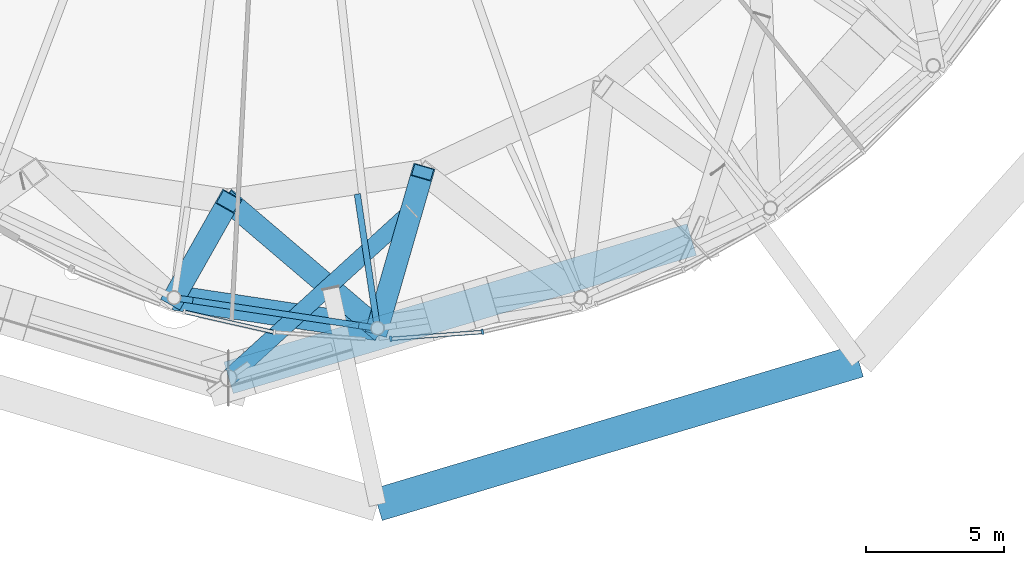
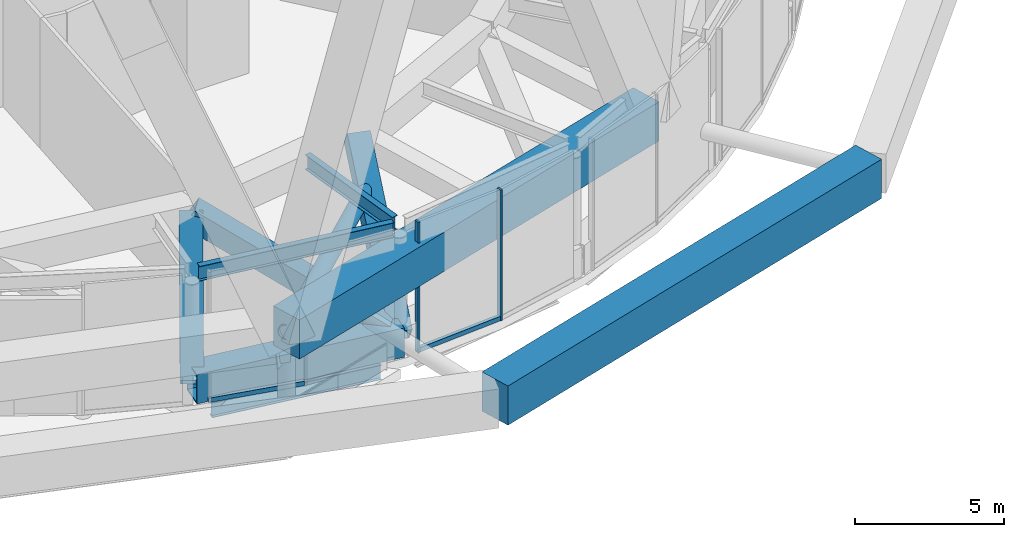
# One storey, part 9 of 51: 7 beams, 7 members, 3 elements without a shape of their own.
"""IFC4 building model written with IfcOpenShell, lengths in metres."""

from ifc_helpers import new_model, si_unit, direction, frame, origin, origin_2d, place, context, subcontext, project, spatial, rectangle, hollow_rectangle, hollow_circle, i_section, extrude, material, layer, layer_set, material_profile, profile_set, type_object, element, aggregate, save


model = new_model("IFC4")

# Units and contexts
model_context = context("Model", 3, precision=1e-05, world=origin(), true_north=direction((0.0, 1.0)))
body_context = subcontext(model_context, "Body", "Model", "MODEL_VIEW")
ifc_project = project(units=[si_unit("LENGTHUNIT", "METRE"), si_unit("AREAUNIT", "SQUARE_METRE"), si_unit("VOLUMEUNIT", "CUBIC_METRE"), si_unit("PLANEANGLEUNIT", "RADIAN"), si_unit("MASSUNIT", "GRAM", prefix="KILO")], contexts=[model_context])

# Site, building, storey
site_placement = place(None, origin())
site = spatial("IfcSite", under=ifc_project, at=site_placement, CompositionType="ELEMENT")
building_placement = place(site_placement, origin())
building = spatial("IfcBuilding", under=site, at=building_placement, Name="Nagisa Residences", CompositionType="ELEMENT")
storey_placement = place(building_placement, frame((0.0, 0.0, 67.699951171875)))
storey = spatial("IfcBuildingStorey", under=building, at=storey_placement, Name="L16", CompositionType="ELEMENT", Elevation=67.699951171875)

# Beams
ifc_material_1 = material(Name="Steel ASTM A572 Gr 50", Category="steel")
ifc_material_profile_1 = material_profile(ifc_material_1, hollow_rectangle(XDim=0.89990234375, YDim=1.199951171875, WallThickness=0.050048828125, at=origin_2d()), Name="BX 900x1200x50")
ifc_profile_set_1 = profile_set([ifc_material_profile_1], Name="Steel ASTM A572 Gr 50")
beam_type_1 = type_object("IfcBeamType", Name="Belt chord 1 BX 900x1200x50", PredefinedType="BEAM", material=ifc_profile_set_1)
beam_1_placement = place(storey_placement, frame((-3.7763671875, -31.392578125, 0.60009765625), z_axis=(0.988917619014, -0.148465291582, 0.0), x_axis=(0.148465291582, 0.988917619014, 0.0)))
element("IfcBeam", 1, at=beam_1_placement, inside=storey, type_object=beam_type_1, Name="beam:L16:bt1b18", PredefinedType="BEAM", context=body_context, shape_type="SweptSolid", body=[
    extrude(hollow_rectangle(XDim=0.89990234375, YDim=1.199951171875, WallThickness=0.050048828125, at=origin_2d()), origin(), (0.0, 0.0, 1.0), 7.459228515625),
])
ifc_material_2 = material(Name="Steel ASTM A572 Gr 50", Category="steel")
ifc_material_profile_2 = material_profile(ifc_material_2, hollow_rectangle(XDim=0.800048828125, YDim=0.800048828125, WallThickness=0.044921875, at=origin_2d()), Name="BX 800x800x45")
ifc_profile_set_2 = profile_set([ifc_material_profile_2], Name="Steel ASTM A572 Gr 50")
beam_type_2 = type_object("IfcBeamType", Name="Belt diagonal 1 BX 800x800x45", PredefinedType="BEAM", material=ifc_profile_set_2)
beam_2_placement = place(storey_placement, frame((-3.7763671875, -31.392578125, 0.60009765625), z_axis=(0.342674747314, 0.606062304792, 0.717817874021), x_axis=(-0.870490355676, 0.492185473856, 0.0)))
element("IfcBeam", 2, at=beam_2_placement, inside=storey, type_object=beam_type_2, Name="beam:L16:bt1db18", PredefinedType="BEAM", context=body_context, shape_type="SweptSolid", body=[
    extrude(hollow_rectangle(XDim=0.800048828125, YDim=0.800048828125, WallThickness=0.044921875, at=origin_2d()), origin(), (0.0, 0.0, 1.0), 5.767333984375),
])
beam_3_placement = place(storey_placement, frame((3.60009765625, -32.5, 0.60009765625), z_axis=(-0.657353530655, 0.560291428791, 0.503944293111), x_axis=(-0.648683540744, -0.761058252677, 0.0)))
element("IfcBeam", 3, at=beam_3_placement, inside=storey, type_object=beam_type_2, Name="beam:L16:bt1da19", PredefinedType="BEAM", context=body_context, shape_type="SweptSolid", body=[
    extrude(hollow_rectangle(XDim=0.800048828125, YDim=0.800048828125, WallThickness=0.044921875, at=origin_2d()), origin(), (0.0, 0.0, 1.0), 8.215087890625),
])
beam_4_placement = place(storey_placement, frame((3.60009765625, -32.5, 0.60009765625), z_axis=(0.227532560677, 0.785938353307, 0.57491724503), x_axis=(-0.960556400224, 0.278085242306, 0.0)))
element("IfcBeam", 4, at=beam_4_placement, inside=storey, type_object=beam_type_2, Name="beam:L16:bt1db19", PredefinedType="BEAM", context=body_context, shape_type="SweptSolid", body=[
    extrude(hollow_rectangle(XDim=0.800048828125, YDim=0.800048828125, WallThickness=0.044921875, at=origin_2d()), origin(), (0.0, 0.0, 1.0), 7.200927734375),
])

# Curtain wall, member
ifc_material_3 = material(Name="Aluminium curtain wall system", Category="aluminium")
ifc_layer = layer(ifc_material_3, 0.159912109375)
ifc_layer_set = layer_set([ifc_layer], Name="CW2 CURTAIN WALL")
curtain_wall_type = type_object("IfcCurtainWallType", Name="CW2 CURTAIN WALL", PredefinedType="NOTDEFINED", material=ifc_layer_set)
curtain_wall_1_placement = place(storey_placement, origin())
curtain_wall_1 = element("IfcCurtainWall", 5, at=curtain_wall_1_placement, inside=storey, type_object=curtain_wall_type, Name="cw:CW2:L16:36", PredefinedType="NOTDEFINED")
ifc_material_4 = material(Name="Aluminium", Category="aluminium")
ifc_material_profile_3 = material_profile(ifc_material_4, rectangle(XDim=0.199951171875, YDim=0.080078125, at=origin_2d()), Name="CW2 MULLION 200x80")
ifc_profile_set_3 = profile_set([ifc_material_profile_3], Name="Aluminium")
member_type_1 = type_object("IfcMemberType", Name="CW2 MULLION 200x80", PredefinedType="MULLION", material=ifc_profile_set_3)
member_1_placement = place(storey_placement, frame((4.082763671875, -32.8837890625, 0.0), z_axis=(0.0, 0.0, 1.0), x_axis=(-0.074377355493, 0.997230168512, 0.0)))
member_1 = element("IfcMember", 6, at=member_1_placement, type_object=member_type_1, Name="CW2 mullion", PredefinedType="MULLION", context=body_context, shape_type="SweptSolid", body=[
    extrude(rectangle(XDim=0.199951171875, YDim=0.080078125, at=origin_2d()), origin(), (0.0, 0.0, 1.0), 5.340087890625),
])

curtain_wall_2_placement = place(storey_placement, origin())
curtain_wall_2 = element("IfcCurtainWall", 7, at=curtain_wall_2_placement, inside=storey, type_object=curtain_wall_type, Name="cw:CW2:L16:37", PredefinedType="NOTDEFINED")
member_2_placement = place(storey_placement, frame((7.406494140625, -32.630859375, 0.0), z_axis=(0.0, 0.0, 1.0), x_axis=(-0.2207639201, 0.975327274089, 0.0)))
member_2 = element("IfcMember", 8, at=member_2_placement, type_object=member_type_1, Name="CW2 mullion", PredefinedType="MULLION", context=body_context, shape_type="SweptSolid", body=[
    extrude(rectangle(XDim=0.199951171875, YDim=0.080078125, at=origin_2d()), origin(), (0.0, 0.0, 1.0), 5.340087890625),
])
aggregate(curtain_wall_2, [member_2])

curtain_wall_3_placement = place(storey_placement, origin())
curtain_wall_3 = element("IfcCurtainWall", 9, at=curtain_wall_3_placement, inside=storey, type_object=curtain_wall_type, Name="cw:CW2:L16:34", PredefinedType="NOTDEFINED")
ifc_material_5 = material(Name="Aluminium", Category="aluminium")
ifc_material_profile_4 = material_profile(ifc_material_5, rectangle(XDim=0.139892578125, YDim=0.179931640625, at=origin_2d()), Name="CW2 TRANSOM 140x180")
ifc_profile_set_4 = profile_set([ifc_material_profile_4], Name="Aluminium")
member_type_2 = type_object("IfcMemberType", Name="CW2 TRANSOM 140x180", PredefinedType="USERDEFINED", material=ifc_profile_set_4)
member_3_placement = place(storey_placement, frame((-3.44921875, -31.89697265625, 0.090087890625), z_axis=(0.975336292363, -0.2207240739, 0.0), x_axis=(0.2207240739, 0.975336292363, 0.0)))
member_3 = element("IfcMember", 10, at=member_3_placement, type_object=member_type_2, Name="CW2 transom", ObjectType="TRANSOM", PredefinedType="USERDEFINED", context=body_context, shape_type="SweptSolid", body=[
    extrude(rectangle(XDim=0.139892578125, YDim=0.179931640625, at=origin_2d()), origin(), (0.0, 0.0, 1.0), 3.36474609375),
])
aggregate(curtain_wall_3, [member_3])

# Member
member_4_placement = place(storey_placement, frame((4.042724609375, -32.88671875, 0.090087890625), z_axis=(0.997232001335, 0.074352777446, 0.0), x_axis=(-0.074352777446, 0.997232001335, 0.0)))
member_4 = element("IfcMember", 11, at=member_4_placement, type_object=member_type_2, Name="CW2 transom", ObjectType="TRANSOM", PredefinedType="USERDEFINED", context=body_context, shape_type="SweptSolid", body=[
    extrude(rectangle(XDim=0.139892578125, YDim=0.179931640625, at=origin_2d()), origin(), (0.0, 0.0, 1.0), 3.345947265625),
])

aggregate(curtain_wall_1, [member_1, member_4])

# Members
ifc_material_6 = material(Name="Concrete C80", Category="concrete")
ifc_material_profile_5 = material_profile(ifc_material_6, rectangle(XDim=1.199951171875, YDim=1.60009765625, at=origin_2d()), Name="C80 1200x1600")
ifc_profile_set_5 = profile_set([ifc_material_profile_5], Name="Concrete C80")
member_type_3 = type_object("IfcMemberType", Name="Cage ring 1 C80 1200x1600", PredefinedType="CHORD", material=ifc_profile_set_5)
member_5_placement = place(storey_placement, frame((3.60009765625, -38.89990234375, 1.900146484375), z_axis=(0.958181603798, 0.286160818673, 0.0), x_axis=(-0.286160818673, 0.958181603798, 0.0)))
element("IfcMember", 12, at=member_5_placement, inside=storey, type_object=member_type_3, Name="beam:L16:cg1r210", PredefinedType="CHORD", context=body_context, shape_type="SweptSolid", body=[
    extrude(rectangle(XDim=1.199951171875, YDim=1.60009765625, at=origin_2d()), origin(), (0.0, 0.0, 1.0), 18.21142578125),
])
ifc_material_7 = material(Name="Concrete C80", Category="concrete")
ifc_material_profile_6 = material_profile(ifc_material_7, rectangle(XDim=1.199951171875, YDim=1.60009765625, at=origin_2d()), Name="C80 1200x1600")
ifc_profile_set_6 = profile_set([ifc_material_profile_6], Name="Concrete C80")
member_type_4 = type_object("IfcMemberType", Name="Cage ring 2 C80 1200x1600", PredefinedType="CHORD", material=ifc_profile_set_6)
member_6_placement = place(storey_placement, frame((-1.800048828125, -34.29736328125, 3.699951171875), z_axis=(0.958242711372, 0.285956126185, 0.0), x_axis=(-0.285956126185, 0.958242711372, 0.0)))
element("IfcMember", 13, at=member_6_placement, inside=storey, type_object=member_type_4, Name="beam:L16:cg2r010", PredefinedType="CHORD", context=body_context, shape_type="SweptSolid", body=[
    extrude(rectangle(XDim=1.199951171875, YDim=1.60009765625, at=origin_2d()), origin(), (0.0, 0.0, 1.0), 17.529541015625),
])
ifc_material_8 = material(Name="Steel ASTM A572 Gr 65", Category="steel")
ifc_material_profile_7 = material_profile(ifc_material_8, hollow_circle(Radius=0.304931640625, WallThickness=0.02490234375, at=origin_2d()), Name="CHS 610x25")
ifc_profile_set_7 = profile_set([ifc_material_profile_7], Name="Steel ASTM A572 Gr 65")
member_type_5 = type_object("IfcMemberType", Name="Cage strut CHS 610x25", PredefinedType="STRUT", material=ifc_profile_set_7)
member_7_placement = place(storey_placement, frame((-1.800048828125, -34.29736328125, 3.699951171875), z_axis=(0.73934819273, 0.673323287809, 0.0), x_axis=(-0.673323287809, 0.73934819273, 0.0)))
element("IfcMember", 14, at=member_7_placement, inside=storey, type_object=member_type_5, Name="mem:L16:bt1st2b10", PredefinedType="STRUT", context=body_context, shape_type="SweptSolid", body=[
    extrude(hollow_circle(Radius=0.304931640625, WallThickness=0.02490234375, at=origin_2d()), origin(), (0.0, 0.0, 1.0), 8.963134765625),
])

# Beams
ifc_material_9 = material(Name="Steel ASTM A572 Gr 50", Category="steel")
ifc_material_profile_8 = material_profile(ifc_material_9, i_section(OverallWidth=0.22802734375, OverallDepth=0.60302734375, WebThickness=0.010498046875, FlangeThickness=0.014892578125, at=origin_2d()), Name="W610x101")
ifc_profile_set_8 = profile_set([ifc_material_profile_8], Name="Steel ASTM A572 Gr 50")
beam_type_3 = type_object("IfcBeamType", Name="Garden edge beam W610x101", PredefinedType="BEAM", material=ifc_profile_set_8)
beam_5_placement = place(storey_placement, frame((-3.544921875, -31.42724609375, 5.03857421875), z_axis=(0.98891431308, -0.148487310517, 0.0), x_axis=(0.148487310517, 0.98891431308, 0.0)))
element("IfcBeam", 15, at=beam_5_placement, inside=storey, type_object=beam_type_3, Name="beam:L16:bt1ge18", PredefinedType="BEAM", context=body_context, shape_type="SweptSolid", body=[
    extrude(i_section(OverallWidth=0.22802734375, OverallDepth=0.60302734375, WebThickness=0.010498046875, FlangeThickness=0.014892578125, at=origin_2d()), origin(), (0.0, 0.0, 1.0), 6.990966796875),
])
ifc_material_10 = material(Name="Steel ASTM A572 Gr 50", Category="steel")
ifc_material_profile_9 = material_profile(ifc_material_10, i_section(OverallWidth=0.22802734375, OverallDepth=0.60302734375, WebThickness=0.010498046875, FlangeThickness=0.014892578125, at=origin_2d()), Name="W610x101")
ifc_profile_set_9 = profile_set([ifc_material_profile_9], Name="Steel ASTM A572 Gr 50")
beam_type_4 = type_object("IfcBeamType", Name="Garden radial beam W610x101", PredefinedType="BEAM", material=ifc_profile_set_9)
beam_6_placement = place(storey_placement, frame((3.565185546875, -32.2685546875, 5.03857421875), z_axis=(-0.14848047116, 0.988915339998, 0.0), x_axis=(-0.988915339998, -0.14848047116, 0.0)))
element("IfcBeam", 16, at=beam_6_placement, inside=storey, type_object=beam_type_4, Name="beam:L16:bt1gr19", PredefinedType="BEAM", context=body_context, shape_type="SweptSolid", body=[
    extrude(i_section(OverallWidth=0.22802734375, OverallDepth=0.60302734375, WebThickness=0.010498046875, FlangeThickness=0.014892578125, at=origin_2d()), origin(), (0.0, 0.0, 1.0), 4.689453125),
])
ifc_material_11 = material(Name="Steel ASTM A572 Gr 50", Category="steel")
ifc_material_profile_10 = material_profile(ifc_material_11, i_section(OverallWidth=0.22900390625, OverallDepth=0.612060546875, WebThickness=0.011962890625, FlangeThickness=0.01953125, at=origin_2d()), Name="W610x125")
ifc_profile_set_10 = profile_set([ifc_material_profile_10], Name="Steel ASTM A572 Gr 50")
beam_type_5 = type_object("IfcBeamType", Name="Perimeter ring beam W610x125", PredefinedType="BEAM", material=ifc_profile_set_10)
beam_7_placement = place(storey_placement, frame((-3.096435546875, -31.49462890625, -0.656005859375), z_axis=(0.988914559467, -0.14848566959, 0.0), x_axis=(0.14848566959, 0.988914559467, 0.0)))
element("IfcBeam", 17, at=beam_7_placement, inside=storey, type_object=beam_type_5, Name="beam:L16:pb18", PredefinedType="BEAM", context=body_context, shape_type="SweptSolid", body=[
    extrude(i_section(OverallWidth=0.22900390625, OverallDepth=0.612060546875, WebThickness=0.011962890625, FlangeThickness=0.01953125, at=origin_2d()), origin(), (0.0, 0.0, 1.0), 6.08349609375),
])

save(model, "model.ifc")
